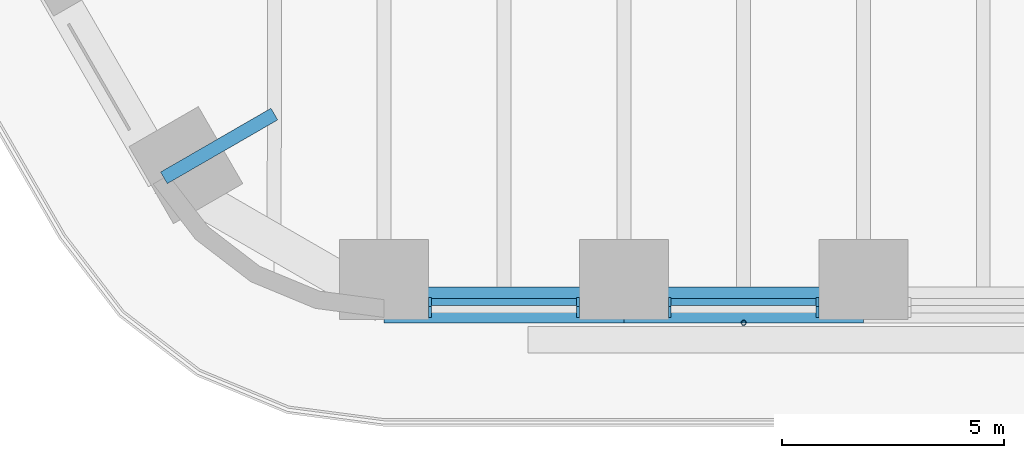
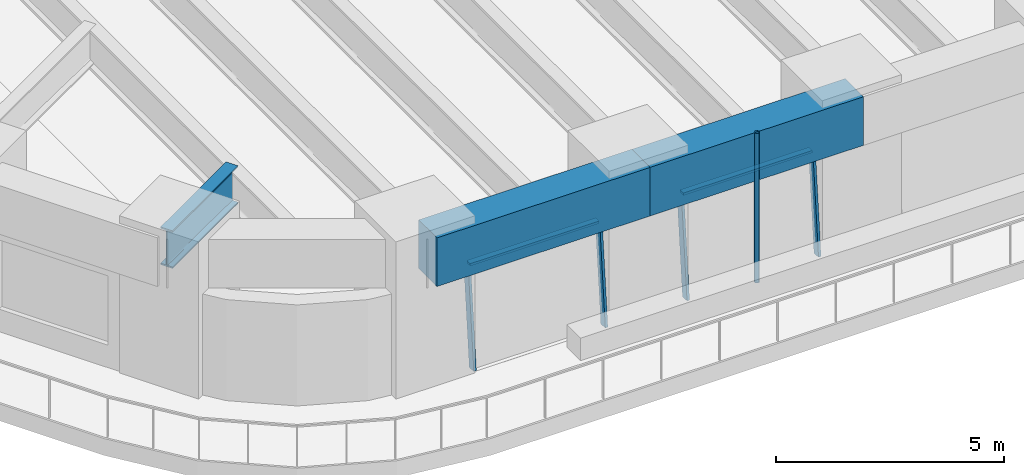
# One storey, part 2 of 23: 7 members, 3 beams, 2 elements without a shape of their own.
"""IFC4 building model written with IfcOpenShell, lengths in metres."""

from ifc_helpers import new_model, si_unit, direction, frame, origin, origin_2d, place, context, subcontext, project, spatial, rectangle, hollow_circle, i_section, extrude, material, material_profile, profile_set, type_object, element, aggregate, save


model = new_model("IFC4")

# Units and contexts
model_context = context("Model", 3, precision=1e-05, world=origin(), true_north=direction((0.0, 1.0)))
body_context = subcontext(model_context, "Body", "Model", "MODEL_VIEW")
ifc_project = project(units=[si_unit("LENGTHUNIT", "METRE"), si_unit("AREAUNIT", "SQUARE_METRE"), si_unit("VOLUMEUNIT", "CUBIC_METRE"), si_unit("PLANEANGLEUNIT", "RADIAN"), si_unit("MASSUNIT", "GRAM", prefix="KILO")], contexts=[model_context])

# Site, building, storey
site_placement = place(None, origin())
site = spatial("IfcSite", under=ifc_project, at=site_placement, CompositionType="ELEMENT")
building_placement = place(site_placement, origin())
building = spatial("IfcBuilding", under=site, at=building_placement, Name="Tarfa Lantern Tower", CompositionType="ELEMENT")
storey_placement = place(building_placement, frame((0.0, 0.0, 48.699951171875)))
storey = spatial("IfcBuildingStorey", under=building, at=storey_placement, Name="L10", CompositionType="ELEMENT", Elevation=48.699951171875)

# Curtain wall, members
ifc_material_1 = material(Name="Aluminium framed curtain wall", Category="aluminium")
curtain_wall_type = type_object("IfcCurtainWallType", Name="CW1 CANTED GLAZING LOW ZONE 2700", PredefinedType="USERDEFINED", material=ifc_material_1)
curtain_wall_1_placement = place(storey_placement, origin())
curtain_wall_1 = element("IfcCurtainWall", 1, at=curtain_wall_1_placement, inside=storey, type_object=curtain_wall_type, Name="CW1 S L10", ObjectType="CURTAIN WALL", PredefinedType="USERDEFINED")
ifc_material_2 = material(Name="Aluminium mullion", Category="aluminium")
ifc_material_profile_1 = material_profile(ifc_material_2, rectangle(XDim=0.06494140625, YDim=0.199951171875, at=origin_2d()), Name="AL MULLION 65x200")
ifc_profile_set_1 = profile_set([ifc_material_profile_1], Name="Aluminium mullion")
member_type_1 = type_object("IfcMemberType", Name="CWM1 MULLION 65x200", PredefinedType="MULLION", material=ifc_profile_set_1)
member_1_placement = place(storey_placement, frame((-15.13330078125, -33.89990234375, 0.0), z_axis=(0.0, 0.092199863775, 0.995740520979), x_axis=(-1.0, 0.0, 0.0)))
member_1 = element("IfcMember", 2, at=member_1_placement, type_object=member_type_1, Name="CW1 mullion 1", PredefinedType="MULLION", context=body_context, shape_type="SweptSolid", body=[
    extrude(rectangle(XDim=0.06494140625, YDim=0.199951171875, at=origin_2d()), origin(), (0.0, 0.0, 1.0), 2.71142578125),
])
member_2_placement = place(storey_placement, frame((-11.809814453125, -33.89990234375, 0.0), z_axis=(0.0, 0.092199863775, 0.995740520979), x_axis=(-1.0, 0.0, 0.0)))
member_2 = element("IfcMember", 3, at=member_2_placement, type_object=member_type_1, Name="CW1 mullion 2", PredefinedType="MULLION", context=body_context, shape_type="SweptSolid", body=[
    extrude(rectangle(XDim=0.06494140625, YDim=0.199951171875, at=origin_2d()), origin(), (0.0, 0.0, 1.0), 2.71142578125),
])

curtain_wall_2_placement = place(storey_placement, origin())
curtain_wall_2 = element("IfcCurtainWall", 4, at=curtain_wall_2_placement, inside=storey, type_object=curtain_wall_type, Name="CW1 S L10", ObjectType="CURTAIN WALL", PredefinedType="USERDEFINED")
member_3_placement = place(storey_placement, frame((-9.74462890625, -33.89990234375, 0.0), z_axis=(0.0, 0.092199863775, 0.995740520979), x_axis=(-1.0, 0.0, 0.0)))
member_3 = element("IfcMember", 5, at=member_3_placement, type_object=member_type_1, Name="CW1 mullion 1", PredefinedType="MULLION", context=body_context, shape_type="SweptSolid", body=[
    extrude(rectangle(XDim=0.06494140625, YDim=0.199951171875, at=origin_2d()), origin(), (0.0, 0.0, 1.0), 2.71142578125),
])
member_4_placement = place(storey_placement, frame((-6.421142578125, -33.89990234375, 0.0), z_axis=(0.0, 0.092199863775, 0.995740520979), x_axis=(-1.0, 0.0, 0.0)))
member_4 = element("IfcMember", 6, at=member_4_placement, type_object=member_type_1, Name="CW1 mullion 2", PredefinedType="MULLION", context=body_context, shape_type="SweptSolid", body=[
    extrude(rectangle(XDim=0.06494140625, YDim=0.199951171875, at=origin_2d()), origin(), (0.0, 0.0, 1.0), 2.71142578125),
])

# Member
ifc_material_3 = material(Name="Aluminium transom", Category="aluminium")
ifc_material_profile_2 = material_profile(ifc_material_3, rectangle(XDim=0.14990234375, YDim=0.06494140625, at=origin_2d()), Name="AL TRANSOM 150x65")
ifc_profile_set_2 = profile_set([ifc_material_profile_2], Name="Aluminium transom")
member_type_2 = type_object("IfcMemberType", Name="CWT1 TRANSOM 150x65", PredefinedType="USERDEFINED", material=ifc_profile_set_2)
member_5_placement = place(storey_placement, frame((-15.100830078125, -33.653076171875, 2.66748046875), z_axis=(1.0, 0.0, 0.0), x_axis=(0.0, 1.0, 0.0)))
member_5 = element("IfcMember", 7, at=member_5_placement, type_object=member_type_2, Name="CW1 transom 1.2", ObjectType="TRANSOM", PredefinedType="USERDEFINED", context=body_context, shape_type="SweptSolid", body=[
    extrude(rectangle(XDim=0.14990234375, YDim=0.06494140625, at=origin_2d()), origin(), (0.0, 0.0, 1.0), 3.258544921875),
])

aggregate(curtain_wall_1, [member_1, member_2, member_5])

member_6_placement = place(storey_placement, frame((-9.712158203125, -33.653076171875, 2.66748046875), z_axis=(1.0, 0.0, 0.0), x_axis=(0.0, 1.0, 0.0)))
member_6 = element("IfcMember", 8, at=member_6_placement, type_object=member_type_2, Name="CW1 transom 1.2", ObjectType="TRANSOM", PredefinedType="USERDEFINED", context=body_context, shape_type="SweptSolid", body=[
    extrude(rectangle(XDim=0.14990234375, YDim=0.06494140625, at=origin_2d()), origin(), (0.0, 0.0, 1.0), 3.258544921875),
])

aggregate(curtain_wall_2, [member_3, member_4, member_6])

# Beams
ifc_material_4 = material(Name="Concrete C80/95", Category="concrete")
ifc_material_profile_3 = material_profile(ifc_material_4, rectangle(XDim=0.800048828125, YDim=1.300048828125, at=origin_2d()), Name="RC 800x1300")
ifc_profile_set_3 = profile_set([ifc_material_profile_3], Name="Concrete C80/95")
beam_type_1 = type_object("IfcBeamType", Name="EB1 RC 800x1300", PredefinedType="SPANDREL", material=ifc_profile_set_3)
beam_1_placement = place(storey_placement, frame((-16.165771484375, -33.719970703125, 3.35009765625), z_axis=(1.0, 0.0, 0.0), x_axis=(0.0, 1.0, 0.0)))
element("IfcBeam", 9, at=beam_1_placement, inside=storey, type_object=beam_type_1, Name="Edge beam S0", PredefinedType="SPANDREL", context=body_context, shape_type="SweptSolid", body=[
    extrude(rectangle(XDim=0.800048828125, YDim=1.300048828125, at=origin_2d()), origin(), (0.0, 0.0, 1.0), 5.388671875),
])
beam_2_placement = place(storey_placement, frame((-10.777099609375, -33.719970703125, 3.35009765625), z_axis=(1.0, 0.0, 0.0), x_axis=(0.0, 1.0, 0.0)))
element("IfcBeam", 10, at=beam_2_placement, inside=storey, type_object=beam_type_1, Name="Edge beam S1", PredefinedType="SPANDREL", context=body_context, shape_type="SweptSolid", body=[
    extrude(rectangle(XDim=0.800048828125, YDim=1.300048828125, at=origin_2d()), origin(), (0.0, 0.0, 1.0), 5.388427734375),
])

# Member
ifc_material_5 = material(Name="Steel S355", Category="steel")
ifc_material_profile_4 = material_profile(ifc_material_5, hollow_circle(Radius=0.05712890625, WallThickness=0.00634765625, at=origin_2d()), Name="CHS114.3x6.3")
ifc_profile_set_4 = profile_set([ifc_material_profile_4], Name="Steel S355")
member_type_3 = type_object("IfcMemberType", Name="TR1 GREEN WALL TRELLIS CHS114.3x6.3", PredefinedType="USERDEFINED", material=ifc_profile_set_4)
member_7_placement = place(storey_placement, frame((-8.0830078125, -34.1201171875, 0.0), z_axis=(0.0, 0.0, 1.0), x_axis=(1.0, 0.0, 0.0)))
element("IfcMember", 11, at=member_7_placement, inside=storey, type_object=member_type_3, Name="Trellis post S 1", ObjectType="TRELLIS", PredefinedType="USERDEFINED", context=body_context, shape_type="SweptSolid", body=[
    extrude(hollow_circle(Radius=0.05712890625, WallThickness=0.00634765625, at=origin_2d()), origin(), (0.0, 0.0, 1.0), 4.0),
])

# Beam
ifc_material_6 = material(Name="Steel S460M", Category="steel")
ifc_material_profile_5 = material_profile(ifc_material_6, i_section(OverallWidth=0.302001953125, OverallDepth=1.008056640625, WebThickness=0.02099609375, FlangeThickness=0.0400390625, FilletRadius=0.030029296875, at=origin_2d()), Name="UB1016x305x349")
ifc_profile_set_5 = profile_set([ifc_material_profile_5], Name="Steel S460M")
beam_type_2 = type_object("IfcBeamType", Name="UB1016x305x349", PredefinedType="BEAM", material=ifc_profile_set_5)
beam_3_placement = place(storey_placement, frame((-21.119384765625, -30.860107421875, 3.49609375), z_axis=(0.866012580594, 0.500022209759, 0.0), x_axis=(-0.500022209759, 0.866012580594, 0.0)))
element("IfcBeam", 12, at=beam_3_placement, inside=storey, type_object=beam_type_2, Name="Floor beam SW6", PredefinedType="BEAM", context=body_context, shape_type="SweptSolid", body=[
    extrude(i_section(OverallWidth=0.302001953125, OverallDepth=1.008056640625, WebThickness=0.02099609375, FlangeThickness=0.0400390625, FilletRadius=0.030029296875, at=origin_2d()), origin(), (0.0, 0.0, 1.0), 2.866943359375),
])

save(model, "model.ifc")
